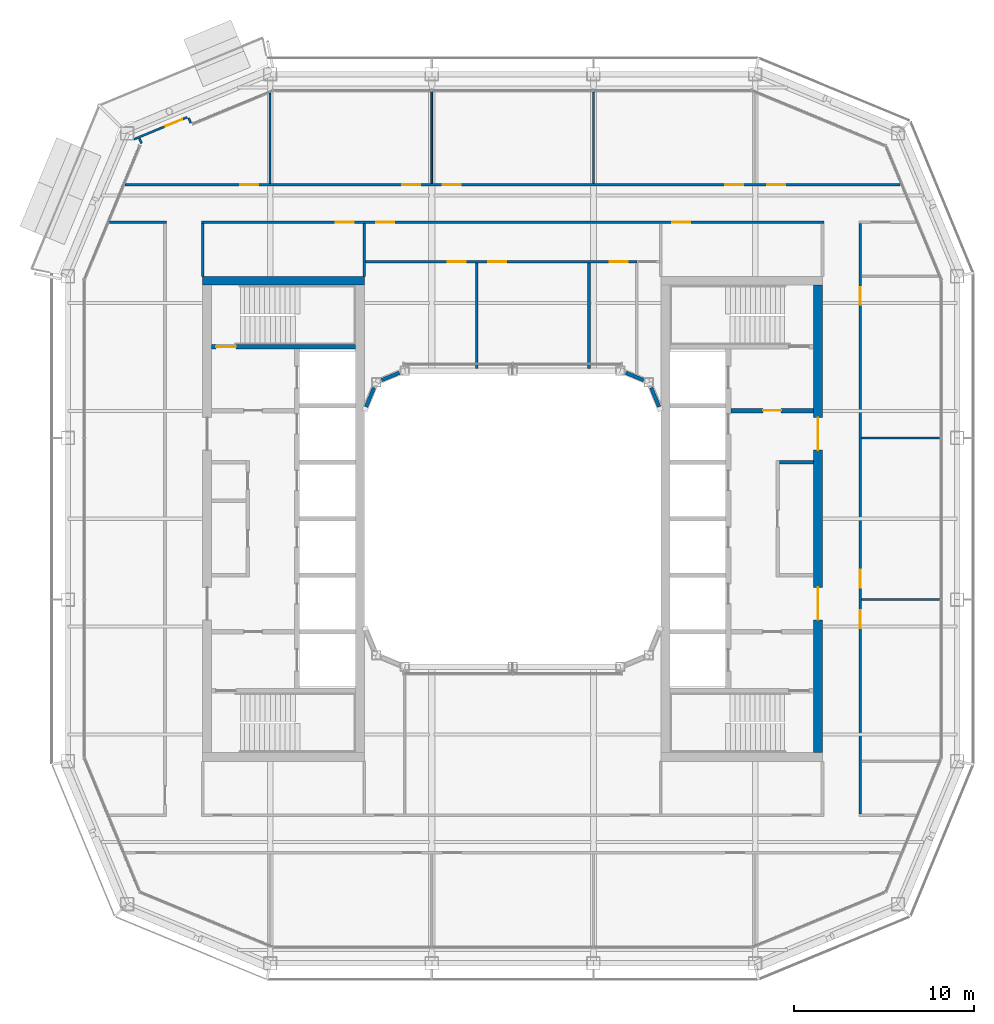
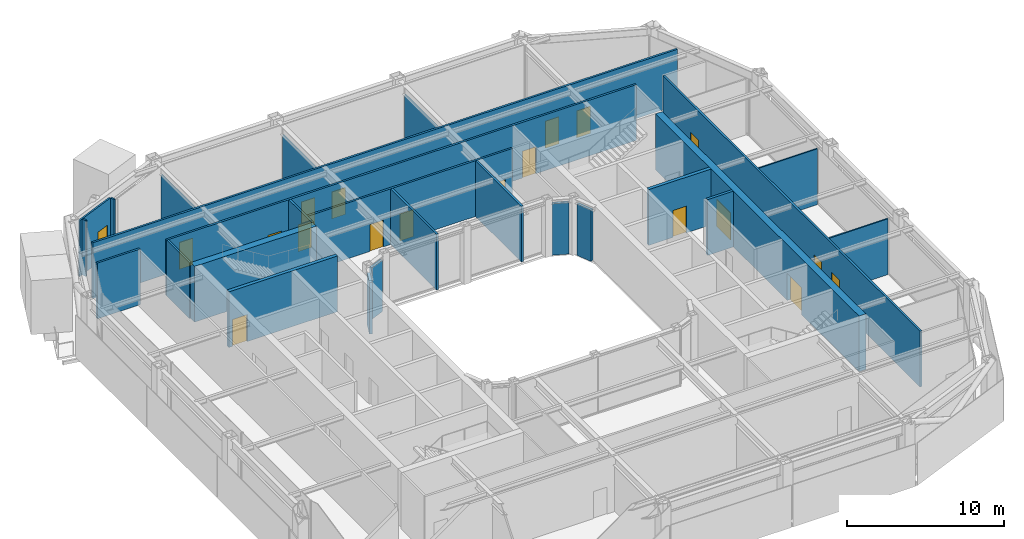
# One storey, part 13 of 21: 26 walls, 19 doors, 19 openings.
"""IFC4 building model written with IfcOpenShell, lengths in metres."""

from ifc_helpers import new_model, si_unit, direction, frame, frame_2d, origin, place, context, subcontext, project, spatial, rectangle, extrude, material, layer, layer_set, type_object, element, fill, save


model = new_model("IFC4")

# Units and contexts
model_context = context("Model", 3, precision=1e-05, world=origin(), true_north=direction((0.0, 1.0)))
body_context = subcontext(model_context, "Body", "Model", "MODEL_VIEW")
ifc_project = project(units=[si_unit("LENGTHUNIT", "METRE"), si_unit("AREAUNIT", "SQUARE_METRE"), si_unit("VOLUMEUNIT", "CUBIC_METRE"), si_unit("PLANEANGLEUNIT", "RADIAN"), si_unit("MASSUNIT", "GRAM", prefix="KILO")], contexts=[model_context])

# Site, building, storey
site_placement = place(None, origin())
site = spatial("IfcSite", under=ifc_project, at=site_placement, CompositionType="ELEMENT")
building_placement = place(site_placement, origin())
building = spatial("IfcBuilding", under=site, at=building_placement, Name="Siwar Civic Tower", CompositionType="ELEMENT")
storey_placement = place(building_placement, frame((0.0, 0.0, 294.199951171875)))
storey = spatial("IfcBuildingStorey", under=building, at=storey_placement, Name="L63", CompositionType="ELEMENT", Elevation=294.199951171875)

# Wall
ifc_material_1 = material(Name="Gypsum board on steel studs", Category="steel")
ifc_layer_1 = layer(ifc_material_1, 0.199951171875)
ifc_layer_set_1 = layer_set([ifc_layer_1], Name="Gypsum board on steel studs")
wall_type_1 = type_object("IfcWallType", Name="CORE-PARTITION-200", PredefinedType="PARTITIONING", material=ifc_layer_set_1)
wall_1_placement = place(storey_placement, frame((14.85009765625, 3.14990234375, 0.0), z_axis=(0.0, 0.0, 1.0), x_axis=(1.0, 0.0, 0.0)))
element("IfcWall", 1, at=wall_1_placement, inside=storey, type_object=wall_type_1, Name="Core partition E", PredefinedType="PARTITIONING", context=body_context, shape_type="SweptSolid", body=[
    extrude(rectangle(XDim=1.89990234375, YDim=0.199951171875, at=frame_2d((0.949951171875, 0.0))), origin(), (0.0, 0.0, 1.0), 4.35009765625),
])

# Wall, opening, door
ifc_material_2 = material(Name="Concrete C60/75", Category="concrete")
ifc_layer_2 = layer(ifc_material_2, 0.25)
ifc_layer_set_2 = layer_set([ifc_layer_2], Name="Concrete C60/75")
wall_type_2 = type_object("IfcWallType", Name="CORE-WALL-RC250", PredefinedType="SHEAR", material=ifc_layer_set_2)
wall_2_placement = place(storey_placement, frame((-8.75, 9.574951171875, 0.0), z_axis=(0.0, 0.0, 1.0), x_axis=(-1.0, 0.0, 0.0)))
wall_2 = element("IfcWall", 2, at=wall_2_placement, inside=storey, type_object=wall_type_2, Name="Core wall W", PredefinedType="SHEAR", context=body_context, shape_type="SweptSolid", body=[
    extrude(rectangle(XDim=8.0, YDim=0.25, at=frame_2d((4.0, 0.0))), origin(), (0.0, 0.0, 1.0), 4.35009765625),
])
opening_1_placement = place(wall_2_placement, frame((6.64990234375, 0.0, 0.0)))
opening_1 = element("IfcOpeningElement", 3, at=opening_1_placement, cuts=wall_2, Name="Opening L63-CW03", PredefinedType="OPENING", context=body_context, shape_type="SweptSolid", body=[
    extrude(rectangle(XDim=1.10009765625, YDim=2.10009765625, at=frame_2d((0.550048828125, 1.050048828125))), frame((0.0, 0.135009765625, 0.0), z_axis=(0.0, -1.0, 0.0), x_axis=(1.0, 0.0, 0.0)), (0.0, 0.0, 1.0), 0.27001953125),
])
ifc_material_3 = material(Name="Steel door leaf", Category="steel")
door_type_1 = type_object("IfcDoorType", Name="CORE-DOOR-FD60S", OperationType="SINGLE_SWING_LEFT", PredefinedType="DOOR", material=ifc_material_3)
door_1_placement = place(opening_1_placement, origin())
door_1 = element("IfcDoor", 4, at=door_1_placement, inside=storey, type_object=door_type_1, Name="Stair door L63-CW03", OperationType="SINGLE_SWING_RIGHT", OverallHeight=2.10009765625, OverallWidth=1.10009765625, PredefinedType="DOOR", context=body_context, shape_type="SweptSolid", body=[
    extrude(rectangle(XDim=1.10009765625, YDim=2.10009765625, at=frame_2d((0.550048828125, 1.050048828125))), frame((0.0, 0.02490234375, 0.0), z_axis=(0.0, -1.0, 0.0), x_axis=(1.0, 0.0, 0.0)), (0.0, 0.0, 1.0), 0.050048828125),
])
fill(opening_1, door_1)

wall_3_placement = place(storey_placement, frame((12.14990234375, 6.02490234375, 0.0), z_axis=(0.0, 0.0, 1.0), x_axis=(1.0, 0.0, 0.0)))
wall_3 = element("IfcWall", 5, at=wall_3_placement, inside=storey, type_object=wall_type_2, Name="Core wall E", PredefinedType="SHEAR", context=body_context, shape_type="SweptSolid", body=[
    extrude(rectangle(XDim=4.60009765625, YDim=0.25, at=frame_2d((2.300048828125, 0.0))), origin(), (0.0, 0.0, 1.0), 4.35009765625),
])
opening_2_placement = place(wall_3_placement, frame((1.800048828125, 0.0, 0.0)))
opening_2 = element("IfcOpeningElement", 6, at=opening_2_placement, cuts=wall_3, Name="Opening L63-CE01", PredefinedType="OPENING", context=body_context, shape_type="SweptSolid", body=[
    extrude(rectangle(XDim=1.0, YDim=2.10009765625, at=frame_2d((0.5, 1.050048828125))), frame((0.0, 0.135009765625, 0.0), z_axis=(0.0, -1.0, 0.0), x_axis=(1.0, 0.0, 0.0)), (0.0, 0.0, 1.0), 0.27001953125),
])
ifc_material_4 = material(Name="Steel door leaf", Category="steel")
door_type_2 = type_object("IfcDoorType", Name="CORE-DOOR-FD30S", OperationType="SINGLE_SWING_LEFT", PredefinedType="DOOR", material=ifc_material_4)
door_2_placement = place(opening_2_placement, origin())
door_2 = element("IfcDoor", 7, at=door_2_placement, inside=storey, type_object=door_type_2, Name="Firefighting lobby door L63-CE01", OperationType="SINGLE_SWING_RIGHT", OverallHeight=2.10009765625, OverallWidth=1.0, PredefinedType="DOOR", context=body_context, shape_type="SweptSolid", body=[
    extrude(rectangle(XDim=1.0, YDim=2.10009765625, at=frame_2d((0.5, 1.050048828125))), frame((0.0, 0.02490234375, 0.0), z_axis=(0.0, -1.0, 0.0), x_axis=(1.0, 0.0, 0.0)), (0.0, 0.0, 1.0), 0.050048828125),
])
fill(opening_2, door_2)

# Wall
ifc_material_5 = material(Name="Concrete C60/75", Category="concrete")
ifc_layer_3 = layer(ifc_material_5, 0.5)
ifc_layer_set_3 = layer_set([ifc_layer_3], Name="Concrete C60/75")
wall_type_3 = type_object("IfcWallType", Name="CORE-WALL-RC500", PredefinedType="SHEAR", material=ifc_layer_set_3)
wall_4_placement = place(storey_placement, frame((-8.25, 13.25, 0.0), z_axis=(0.0, 0.0, 1.0), x_axis=(-1.0, 0.0, 0.0)))
element("IfcWall", 8, at=wall_4_placement, inside=storey, type_object=wall_type_3, Name="Core wall W", PredefinedType="SHEAR", context=body_context, shape_type="SweptSolid", body=[
    extrude(rectangle(XDim=9.0, YDim=0.5, at=frame_2d((4.5, 0.0))), origin(), (0.0, 0.0, 1.0), 4.35009765625),
])

# Wall, openings, doors
wall_5_placement = place(storey_placement, frame((17.0, -13.0, 0.0), z_axis=(0.0, 0.0, 1.0), x_axis=(0.0, 1.0, 0.0)))
wall_5 = element("IfcWall", 9, at=wall_5_placement, inside=storey, type_object=wall_type_3, Name="Core wall E", PredefinedType="SHEAR", context=body_context, shape_type="SweptSolid", body=[
    extrude(rectangle(XDim=26.0, YDim=0.5, at=frame_2d((13.0, 0.0))), origin(), (0.0, 0.0, 1.0), 4.35009765625),
])
opening_3_placement = place(wall_5_placement, frame((16.824951171875, 0.0, 0.0)))
opening_3 = element("IfcOpeningElement", 10, at=opening_3_placement, cuts=wall_5, Name="Opening L63-CE05", PredefinedType="OPENING", context=body_context, shape_type="SweptSolid", body=[
    extrude(rectangle(XDim=1.800048828125, YDim=2.10009765625, at=frame_2d((0.89990234375, 1.050048828125))), frame((0.0, 0.260009765625, 0.0), z_axis=(0.0, -1.0, 0.0), x_axis=(1.0, 0.0, 0.0)), (0.0, 0.0, 1.0), 0.52001953125),
])
opening_4_placement = place(wall_5_placement, frame((7.375, 0.0, 0.0)))
opening_4 = element("IfcOpeningElement", 11, at=opening_4_placement, cuts=wall_5, Name="Opening L63-CE06", PredefinedType="OPENING", context=body_context, shape_type="SweptSolid", body=[
    extrude(rectangle(XDim=1.800048828125, YDim=2.10009765625, at=frame_2d((0.89990234375, 1.050048828125))), frame((0.0, 0.260009765625, 0.0), z_axis=(0.0, -1.0, 0.0), x_axis=(1.0, 0.0, 0.0)), (0.0, 0.0, 1.0), 0.52001953125),
])
ifc_material_6 = material(Name="Steel door leaf", Category="steel")
door_type_3 = type_object("IfcDoorType", Name="CORE-DOOR-PORT", OperationType="DOUBLE_DOOR_DOUBLE_SWING", PredefinedType="DOOR", material=ifc_material_6)
door_3_placement = place(opening_3_placement, origin())
door_3 = element("IfcDoor", 12, at=door_3_placement, inside=storey, type_object=door_type_3, Name="Core entrance door L63-CE05", OperationType="DOUBLE_DOOR_DOUBLE_SWING", OverallHeight=2.10009765625, OverallWidth=1.800048828125, PredefinedType="DOOR", context=body_context, shape_type="SweptSolid", body=[
    extrude(rectangle(XDim=1.800048828125, YDim=2.10009765625, at=frame_2d((0.89990234375, 1.050048828125))), frame((0.0, 0.02490234375, 0.0), z_axis=(0.0, -1.0, 0.0), x_axis=(1.0, 0.0, 0.0)), (0.0, 0.0, 1.0), 0.050048828125),
])
fill(opening_3, door_3)
door_4_placement = place(opening_4_placement, origin())
door_4 = element("IfcDoor", 13, at=door_4_placement, inside=storey, type_object=door_type_3, Name="Core entrance door L63-CE06", OperationType="DOUBLE_DOOR_DOUBLE_SWING", OverallHeight=2.10009765625, OverallWidth=1.800048828125, PredefinedType="DOOR", context=body_context, shape_type="SweptSolid", body=[
    extrude(rectangle(XDim=1.800048828125, YDim=2.10009765625, at=frame_2d((0.89990234375, 1.050048828125))), frame((0.0, 0.02490234375, 0.0), z_axis=(0.0, -1.0, 0.0), x_axis=(1.0, 0.0, 0.0)), (0.0, 0.0, 1.0), 0.050048828125),
])
fill(opening_4, door_4)

ifc_material_7 = material(Name="Gypsum board on steel studs", Category="steel")
ifc_layer_4 = layer(ifc_material_7, 0.14990234375)
ifc_layer_set_4 = layer_set([ifc_layer_4], Name="Gypsum board on steel studs")
wall_type_4 = type_object("IfcWallType", Name="CORRIDOR PARTITION 150 EI 30", PredefinedType="PARTITIONING", material=ifc_layer_set_4)
wall_6_placement = place(storey_placement, frame((-8.175048828125, 14.300048828125, 0.0), z_axis=(0.0, 0.0, 1.0), x_axis=(1.0, 0.0, 0.0)))
wall_6 = element("IfcWall", 14, at=wall_6_placement, inside=storey, type_object=wall_type_4, Name="L63/wall/P09", PredefinedType="PARTITIONING", context=body_context, shape_type="SweptSolid", body=[
    extrude(rectangle(XDim=15.094970703125, YDim=0.14990234375, at=frame_2d((7.54736328125, 0.0))), origin(), (0.0, 0.0, 1.0), 4.35009765625),
])
opening_5_placement = place(wall_6_placement, frame((4.574951171875, 0.0, 0.0)))
opening_5 = element("IfcOpeningElement", 15, at=opening_5_placement, cuts=wall_6, Name="Opening D3", PredefinedType="OPENING", context=body_context, shape_type="SweptSolid", body=[
    extrude(rectangle(XDim=1.0, YDim=2.10009765625, at=frame_2d((0.5, 1.050048828125))), frame((0.0, 0.0849609375, 0.0), z_axis=(0.0, -1.0, 0.0), x_axis=(1.0, 0.0, 0.0)), (0.0, 0.0, 1.0), 0.169921875),
])
opening_6_placement = place(wall_6_placement, frame((6.824951171875, 0.0, 0.0)))
opening_6 = element("IfcOpeningElement", 16, at=opening_6_placement, cuts=wall_6, Name="Opening D3", PredefinedType="OPENING", context=body_context, shape_type="SweptSolid", body=[
    extrude(rectangle(XDim=1.0, YDim=2.10009765625, at=frame_2d((0.5, 1.050048828125))), frame((0.0, 0.0849609375, 0.0), z_axis=(0.0, -1.0, 0.0), x_axis=(1.0, 0.0, 0.0)), (0.0, 0.0, 1.0), 0.169921875),
])
opening_7_placement = place(wall_6_placement, frame((13.574951171875, 0.0, 0.0)))
opening_7 = element("IfcOpeningElement", 17, at=opening_7_placement, cuts=wall_6, Name="Opening D3", PredefinedType="OPENING", context=body_context, shape_type="SweptSolid", body=[
    extrude(rectangle(XDim=1.0, YDim=2.10009765625, at=frame_2d((0.5, 1.050048828125))), frame((0.0, 0.0849609375, 0.0), z_axis=(0.0, -1.0, 0.0), x_axis=(1.0, 0.0, 0.0)), (0.0, 0.0, 1.0), 0.169921875),
])
ifc_material_8 = material(Name="Timber, painted", Category="wood")
door_type_4 = type_object("IfcDoorType", Name="DOOR 1000 X 2100 WC", OperationType="SINGLE_SWING_LEFT", PredefinedType="DOOR", material=ifc_material_8)
door_5_placement = place(opening_5_placement, origin())
door_5 = element("IfcDoor", 18, at=door_5_placement, inside=storey, type_object=door_type_4, Name="L63-D12", OperationType="SINGLE_SWING_RIGHT", OverallHeight=2.10009765625, OverallWidth=1.0, PredefinedType="DOOR", context=body_context, shape_type="SweptSolid", body=[
    extrude(rectangle(XDim=1.0, YDim=2.10009765625, at=frame_2d((0.5, 1.050048828125))), frame((0.0, 0.02490234375, 0.0), z_axis=(0.0, -1.0, 0.0), x_axis=(1.0, 0.0, 0.0)), (0.0, 0.0, 1.0), 0.050048828125),
])
fill(opening_5, door_5)
door_6_placement = place(opening_6_placement, origin())
door_6 = element("IfcDoor", 19, at=door_6_placement, inside=storey, type_object=door_type_4, Name="L63-D13", OperationType="SINGLE_SWING_LEFT", OverallHeight=2.10009765625, OverallWidth=1.0, PredefinedType="DOOR", context=body_context, shape_type="SweptSolid", body=[
    extrude(rectangle(XDim=1.0, YDim=2.10009765625, at=frame_2d((0.5, 1.050048828125))), frame((0.0, 0.02490234375, 0.0), z_axis=(0.0, -1.0, 0.0), x_axis=(1.0, 0.0, 0.0)), (0.0, 0.0, 1.0), 0.050048828125),
])
fill(opening_6, door_6)
door_7_placement = place(opening_7_placement, origin())
door_7 = element("IfcDoor", 20, at=door_7_placement, inside=storey, type_object=door_type_4, Name="L63-D14", OperationType="SINGLE_SWING_RIGHT", OverallHeight=2.10009765625, OverallWidth=1.0, PredefinedType="DOOR", context=body_context, shape_type="SweptSolid", body=[
    extrude(rectangle(XDim=1.0, YDim=2.10009765625, at=frame_2d((0.5, 1.050048828125))), frame((0.0, 0.02490234375, 0.0), z_axis=(0.0, -1.0, 0.0), x_axis=(1.0, 0.0, 0.0)), (0.0, 0.0, 1.0), 0.050048828125),
])
fill(opening_7, door_7)

# Wall
wall_7_placement = place(storey_placement, frame((-22.43603515625, 16.5, 0.0), z_axis=(0.0, 0.0, 1.0), x_axis=(1.0, 0.0, 0.0)))
element("IfcWall", 21, at=wall_7_placement, inside=storey, type_object=wall_type_4, Name="L63/wall/P11", PredefinedType="PARTITIONING", context=body_context, shape_type="SweptSolid", body=[
    extrude(rectangle(XDim=3.1611328125, YDim=0.14990234375, at=frame_2d((1.58056640625, 0.0))), origin(), (0.0, 0.0, 1.0), 4.35009765625),
])

# Wall, openings, doors
wall_8_placement = place(storey_placement, frame((-17.324951171875, 16.5, 0.0), z_axis=(0.0, 0.0, 1.0), x_axis=(1.0, 0.0, 0.0)))
wall_8 = element("IfcWall", 22, at=wall_8_placement, inside=storey, type_object=wall_type_4, Name="L63/wall/P12", PredefinedType="PARTITIONING", context=body_context, shape_type="SweptSolid", body=[
    extrude(rectangle(XDim=34.64990234375, YDim=0.14990234375, at=frame_2d((17.324951171875, 0.0))), origin(), (0.0, 0.0, 1.0), 4.35009765625),
])
opening_8_placement = place(wall_8_placement, frame((9.72509765625, 0.0, 0.0)))
opening_8 = element("IfcOpeningElement", 23, at=opening_8_placement, cuts=wall_8, Name="Opening D1", PredefinedType="OPENING", context=body_context, shape_type="SweptSolid", body=[
    extrude(rectangle(XDim=1.0, YDim=2.10009765625, at=frame_2d((0.5, 1.050048828125))), frame((0.0, 0.0849609375, 0.0), z_axis=(0.0, -1.0, 0.0), x_axis=(1.0, 0.0, 0.0)), (0.0, 0.0, 1.0), 0.169921875),
])
opening_9_placement = place(wall_8_placement, frame((7.47509765625, 0.0, 0.0)))
opening_9 = element("IfcOpeningElement", 24, at=opening_9_placement, cuts=wall_8, Name="Opening D1", PredefinedType="OPENING", context=body_context, shape_type="SweptSolid", body=[
    extrude(rectangle(XDim=1.0, YDim=2.10009765625, at=frame_2d((0.5, 1.050048828125))), frame((0.0, 0.0849609375, 0.0), z_axis=(0.0, -1.0, 0.0), x_axis=(1.0, 0.0, 0.0)), (0.0, 0.0, 1.0), 0.169921875),
])
opening_10_placement = place(wall_8_placement, frame((26.22509765625, 0.0, 0.0)))
opening_10 = element("IfcOpeningElement", 25, at=opening_10_placement, cuts=wall_8, Name="Opening D1", PredefinedType="OPENING", context=body_context, shape_type="SweptSolid", body=[
    extrude(rectangle(XDim=1.0, YDim=2.10009765625, at=frame_2d((0.5, 1.050048828125))), frame((0.0, 0.0849609375, 0.0), z_axis=(0.0, -1.0, 0.0), x_axis=(1.0, 0.0, 0.0)), (0.0, 0.0, 1.0), 0.169921875),
])
ifc_material_9 = material(Name="Timber, painted", Category="wood")
door_type_5 = type_object("IfcDoorType", Name="DOOR 1000 X 2100 FD30", OperationType="SINGLE_SWING_LEFT", PredefinedType="DOOR", material=ifc_material_9)
door_8_placement = place(opening_8_placement, origin())
door_8 = element("IfcDoor", 26, at=door_8_placement, inside=storey, type_object=door_type_5, Name="L63-D11", OperationType="SINGLE_SWING_LEFT", OverallHeight=2.10009765625, OverallWidth=1.0, PredefinedType="DOOR", context=body_context, shape_type="SweptSolid", body=[
    extrude(rectangle(XDim=1.0, YDim=2.10009765625, at=frame_2d((0.5, 1.050048828125))), frame((0.0, 0.02490234375, 0.0), z_axis=(0.0, -1.0, 0.0), x_axis=(1.0, 0.0, 0.0)), (0.0, 0.0, 1.0), 0.050048828125),
])
fill(opening_8, door_8)
door_9_placement = place(opening_9_placement, origin())
door_9 = element("IfcDoor", 27, at=door_9_placement, inside=storey, type_object=door_type_5, Name="L63-D18", OperationType="SINGLE_SWING_RIGHT", OverallHeight=2.10009765625, OverallWidth=1.0, PredefinedType="DOOR", context=body_context, shape_type="SweptSolid", body=[
    extrude(rectangle(XDim=1.0, YDim=2.10009765625, at=frame_2d((0.5, 1.050048828125))), frame((0.0, 0.02490234375, 0.0), z_axis=(0.0, -1.0, 0.0), x_axis=(1.0, 0.0, 0.0)), (0.0, 0.0, 1.0), 0.050048828125),
])
fill(opening_9, door_9)
door_10_placement = place(opening_10_placement, origin())
door_10 = element("IfcDoor", 28, at=door_10_placement, inside=storey, type_object=door_type_5, Name="L63-D19", OperationType="SINGLE_SWING_LEFT", OverallHeight=2.10009765625, OverallWidth=1.0, PredefinedType="DOOR", context=body_context, shape_type="SweptSolid", body=[
    extrude(rectangle(XDim=1.0, YDim=2.10009765625, at=frame_2d((0.5, 1.050048828125))), frame((0.0, 0.02490234375, 0.0), z_axis=(0.0, -1.0, 0.0), x_axis=(1.0, 0.0, 0.0)), (0.0, 0.0, 1.0), 0.050048828125),
])
fill(opening_10, door_10)

wall_9_placement = place(storey_placement, frame((-21.56591796875, 18.60009765625, 0.0), z_axis=(0.0, 0.0, 1.0), x_axis=(1.0, 0.0, 0.0)))
wall_9 = element("IfcWall", 29, at=wall_9_placement, inside=storey, type_object=wall_type_4, Name="L63/wall/P14", PredefinedType="PARTITIONING", context=body_context, shape_type="SweptSolid", body=[
    extrude(rectangle(XDim=43.1318359375, YDim=0.14990234375, at=frame_2d((21.56591796875, 0.0))), origin(), (0.0, 0.0, 1.0), 4.35009765625),
])
opening_11_placement = place(wall_9_placement, frame((15.416015625, 0.0, 0.0)))
opening_11 = element("IfcOpeningElement", 30, at=opening_11_placement, cuts=wall_9, Name="Opening D1", PredefinedType="OPENING", context=body_context, shape_type="SweptSolid", body=[
    extrude(rectangle(XDim=1.0, YDim=2.10009765625, at=frame_2d((0.5, 1.050048828125))), frame((0.0, 0.0849609375, 0.0), z_axis=(0.0, -1.0, 0.0), x_axis=(1.0, 0.0, 0.0)), (0.0, 0.0, 1.0), 0.169921875),
])
opening_12_placement = place(wall_9_placement, frame((17.666015625, 0.0, 0.0)))
opening_12 = element("IfcOpeningElement", 31, at=opening_12_placement, cuts=wall_9, Name="Opening D1", PredefinedType="OPENING", context=body_context, shape_type="SweptSolid", body=[
    extrude(rectangle(XDim=1.0, YDim=2.10009765625, at=frame_2d((0.5, 1.050048828125))), frame((0.0, 0.0849609375, 0.0), z_axis=(0.0, -1.0, 0.0), x_axis=(1.0, 0.0, 0.0)), (0.0, 0.0, 1.0), 0.169921875),
])
opening_13_placement = place(wall_9_placement, frame((33.416015625, 0.0, 0.0)))
opening_13 = element("IfcOpeningElement", 32, at=opening_13_placement, cuts=wall_9, Name="Opening D1", PredefinedType="OPENING", context=body_context, shape_type="SweptSolid", body=[
    extrude(rectangle(XDim=1.0, YDim=2.10009765625, at=frame_2d((0.5, 1.050048828125))), frame((0.0, 0.0849609375, 0.0), z_axis=(0.0, -1.0, 0.0), x_axis=(1.0, 0.0, 0.0)), (0.0, 0.0, 1.0), 0.169921875),
])
opening_14_placement = place(wall_9_placement, frame((6.416015625, 0.0, 0.0)))
opening_14 = element("IfcOpeningElement", 33, at=opening_14_placement, cuts=wall_9, Name="Opening D1", PredefinedType="OPENING", context=body_context, shape_type="SweptSolid", body=[
    extrude(rectangle(XDim=1.0, YDim=2.10009765625, at=frame_2d((0.5, 1.050048828125))), frame((0.0, 0.0849609375, 0.0), z_axis=(0.0, -1.0, 0.0), x_axis=(1.0, 0.0, 0.0)), (0.0, 0.0, 1.0), 0.169921875),
])
opening_15_placement = place(wall_9_placement, frame((35.73193359375, 0.0, 0.0)))
opening_15 = element("IfcOpeningElement", 34, at=opening_15_placement, cuts=wall_9, Name="Opening D1", PredefinedType="OPENING", context=body_context, shape_type="SweptSolid", body=[
    extrude(rectangle(XDim=1.0, YDim=2.10009765625, at=frame_2d((0.5, 1.050048828125))), frame((0.0, 0.0849609375, 0.0), z_axis=(0.0, -1.0, 0.0), x_axis=(1.0, 0.0, 0.0)), (0.0, 0.0, 1.0), 0.169921875),
])
door_11_placement = place(opening_11_placement, origin())
door_11 = element("IfcDoor", 35, at=door_11_placement, inside=storey, type_object=door_type_5, Name="L63-D01", OperationType="SINGLE_SWING_LEFT", OverallHeight=2.10009765625, OverallWidth=1.0, PredefinedType="DOOR", context=body_context, shape_type="SweptSolid", body=[
    extrude(rectangle(XDim=1.0, YDim=2.10009765625, at=frame_2d((0.5, 1.050048828125))), frame((0.0, 0.02490234375, 0.0), z_axis=(0.0, -1.0, 0.0), x_axis=(1.0, 0.0, 0.0)), (0.0, 0.0, 1.0), 0.050048828125),
])
fill(opening_11, door_11)
door_12_placement = place(opening_12_placement, origin())
door_12 = element("IfcDoor", 36, at=door_12_placement, inside=storey, type_object=door_type_5, Name="L63-D02", OperationType="SINGLE_SWING_RIGHT", OverallHeight=2.10009765625, OverallWidth=1.0, PredefinedType="DOOR", context=body_context, shape_type="SweptSolid", body=[
    extrude(rectangle(XDim=1.0, YDim=2.10009765625, at=frame_2d((0.5, 1.050048828125))), frame((0.0, 0.02490234375, 0.0), z_axis=(0.0, -1.0, 0.0), x_axis=(1.0, 0.0, 0.0)), (0.0, 0.0, 1.0), 0.050048828125),
])
fill(opening_12, door_12)
door_13_placement = place(opening_13_placement, origin())
door_13 = element("IfcDoor", 37, at=door_13_placement, inside=storey, type_object=door_type_5, Name="L63-D03", OperationType="SINGLE_SWING_LEFT", OverallHeight=2.10009765625, OverallWidth=1.0, PredefinedType="DOOR", context=body_context, shape_type="SweptSolid", body=[
    extrude(rectangle(XDim=1.0, YDim=2.10009765625, at=frame_2d((0.5, 1.050048828125))), frame((0.0, 0.02490234375, 0.0), z_axis=(0.0, -1.0, 0.0), x_axis=(1.0, 0.0, 0.0)), (0.0, 0.0, 1.0), 0.050048828125),
])
fill(opening_13, door_13)
door_14_placement = place(opening_14_placement, origin())
door_14 = element("IfcDoor", 38, at=door_14_placement, inside=storey, type_object=door_type_5, Name="L63-D07", OperationType="SINGLE_SWING_LEFT", OverallHeight=2.10009765625, OverallWidth=1.0, PredefinedType="DOOR", context=body_context, shape_type="SweptSolid", body=[
    extrude(rectangle(XDim=1.0, YDim=2.10009765625, at=frame_2d((0.5, 1.050048828125))), frame((0.0, 0.02490234375, 0.0), z_axis=(0.0, -1.0, 0.0), x_axis=(1.0, 0.0, 0.0)), (0.0, 0.0, 1.0), 0.050048828125),
])
fill(opening_14, door_14)
door_15_placement = place(opening_15_placement, origin())
door_15 = element("IfcDoor", 39, at=door_15_placement, inside=storey, type_object=door_type_5, Name="L63-D08", OperationType="SINGLE_SWING_RIGHT", OverallHeight=2.10009765625, OverallWidth=1.0, PredefinedType="DOOR", context=body_context, shape_type="SweptSolid", body=[
    extrude(rectangle(XDim=1.0, YDim=2.10009765625, at=frame_2d((0.5, 1.050048828125))), frame((0.0, 0.02490234375, 0.0), z_axis=(0.0, -1.0, 0.0), x_axis=(1.0, 0.0, 0.0)), (0.0, 0.0, 1.0), 0.050048828125),
])
fill(opening_15, door_15)

# Walls
for number, where, z_axis, x_axis, name in (
    (40, (-17.25, 13.5, 0.0), (0.0, 0.0, 1.0), (0.0, 1.0, 0.0), "L63/wall/P17"),
    (41, (-8.25, 13.5, 0.0), (0.0, 0.0, 1.0), (0.0, 1.0, 0.0), "L63/wall/P21"),
):
    element("IfcWall", number, at=place(storey_placement, frame(where, z_axis=z_axis, x_axis=x_axis)), inside=storey, type_object=wall_type_4, Name=name, PredefinedType="PARTITIONING", context=body_context, shape_type="SweptSolid", body=[
        extrude(rectangle(XDim=2.925048828125, YDim=0.14990234375, at=frame_2d((1.46240234375, 0.0))), origin(), (0.0, 0.0, 1.0), 4.35009765625),
    ])
for number, where, z_axis, x_axis, name in (
    (42, (-2.0, 8.3701171875, 0.0), (0.0, 0.0, 1.0), (0.0, 1.0, 0.0), "L63/wall/P25"),
    (43, (4.25, 8.3701171875, 0.0), (0.0, 0.0, 1.0), (0.0, 1.0, 0.0), "L63/wall/P26"),
):
    element("IfcWall", number, at=place(storey_placement, frame(where, z_axis=z_axis, x_axis=x_axis)), inside=storey, type_object=wall_type_4, Name=name, PredefinedType="PARTITIONING", context=body_context, shape_type="SweptSolid", body=[
        extrude(rectangle(XDim=5.85498046875, YDim=0.14990234375, at=frame_2d((2.927490234375, 0.0))), origin(), (0.0, 0.0, 1.0), 4.35009765625),
    ])

# Wall, openings, doors
wall_10_placement = place(storey_placement, frame((19.35009765625, -16.425048828125, 0.0), z_axis=(0.0, 0.0, 1.0), x_axis=(0.0, 1.0, 0.0)))
wall_10 = element("IfcWall", 44, at=wall_10_placement, inside=storey, type_object=wall_type_4, Name="L63/wall/P37", PredefinedType="PARTITIONING", context=body_context, shape_type="SweptSolid", body=[
    extrude(rectangle(XDim=32.85009765625, YDim=0.14990234375, at=frame_2d((16.425048828125, 0.0))), origin(), (0.0, 0.0, 1.0), 4.35009765625),
])
opening_16_placement = place(wall_10_placement, frame((10.324951171875, 0.0, 0.0)))
opening_16 = element("IfcOpeningElement", 45, at=opening_16_placement, cuts=wall_10, Name="Opening D1", PredefinedType="OPENING", context=body_context, shape_type="SweptSolid", body=[
    extrude(rectangle(XDim=1.0, YDim=2.10009765625, at=frame_2d((0.5, 1.050048828125))), frame((0.0, 0.0849609375, 0.0), z_axis=(0.0, -1.0, 0.0), x_axis=(1.0, 0.0, 0.0)), (0.0, 0.0, 1.0), 0.169921875),
])
opening_17_placement = place(wall_10_placement, frame((12.574951171875, 0.0, 0.0)))
opening_17 = element("IfcOpeningElement", 46, at=opening_17_placement, cuts=wall_10, Name="Opening D1", PredefinedType="OPENING", context=body_context, shape_type="SweptSolid", body=[
    extrude(rectangle(XDim=1.0, YDim=2.10009765625, at=frame_2d((0.5, 1.050048828125))), frame((0.0, 0.0849609375, 0.0), z_axis=(0.0, -1.0, 0.0), x_axis=(1.0, 0.0, 0.0)), (0.0, 0.0, 1.0), 0.169921875),
])
opening_18_placement = place(wall_10_placement, frame((28.324951171875, 0.0, 0.0)))
opening_18 = element("IfcOpeningElement", 47, at=opening_18_placement, cuts=wall_10, Name="Opening D1", PredefinedType="OPENING", context=body_context, shape_type="SweptSolid", body=[
    extrude(rectangle(XDim=1.0, YDim=2.10009765625, at=frame_2d((0.5, 1.050048828125))), frame((0.0, 0.0849609375, 0.0), z_axis=(0.0, -1.0, 0.0), x_axis=(1.0, 0.0, 0.0)), (0.0, 0.0, 1.0), 0.169921875),
])
door_16_placement = place(opening_16_placement, origin())
door_16 = element("IfcDoor", 48, at=door_16_placement, inside=storey, type_object=door_type_5, Name="L63-D24", OperationType="SINGLE_SWING_RIGHT", OverallHeight=2.10009765625, OverallWidth=1.0, PredefinedType="DOOR", context=body_context, shape_type="SweptSolid", body=[
    extrude(rectangle(XDim=1.0, YDim=2.10009765625, at=frame_2d((0.5, 1.050048828125))), frame((0.0, 0.02490234375, 0.0), z_axis=(0.0, -1.0, 0.0), x_axis=(1.0, 0.0, 0.0)), (0.0, 0.0, 1.0), 0.050048828125),
])
fill(opening_16, door_16)
door_17_placement = place(opening_17_placement, origin())
door_17 = element("IfcDoor", 49, at=door_17_placement, inside=storey, type_object=door_type_5, Name="L63-D25", OperationType="SINGLE_SWING_LEFT", OverallHeight=2.10009765625, OverallWidth=1.0, PredefinedType="DOOR", context=body_context, shape_type="SweptSolid", body=[
    extrude(rectangle(XDim=1.0, YDim=2.10009765625, at=frame_2d((0.5, 1.050048828125))), frame((0.0, 0.02490234375, 0.0), z_axis=(0.0, -1.0, 0.0), x_axis=(1.0, 0.0, 0.0)), (0.0, 0.0, 1.0), 0.050048828125),
])
fill(opening_17, door_17)
door_18_placement = place(opening_18_placement, origin())
door_18 = element("IfcDoor", 50, at=door_18_placement, inside=storey, type_object=door_type_5, Name="L63-D26", OperationType="SINGLE_SWING_RIGHT", OverallHeight=2.10009765625, OverallWidth=1.0, PredefinedType="DOOR", context=body_context, shape_type="SweptSolid", body=[
    extrude(rectangle(XDim=1.0, YDim=2.10009765625, at=frame_2d((0.5, 1.050048828125))), frame((0.0, 0.02490234375, 0.0), z_axis=(0.0, -1.0, 0.0), x_axis=(1.0, 0.0, 0.0)), (0.0, 0.0, 1.0), 0.050048828125),
])
fill(opening_18, door_18)

# Walls
ifc_material_10 = material(Name="Aluminium clad insulated panel", Category="aluminium")
ifc_layer_5 = layer(ifc_material_10, 0.1201171875)
ifc_layer_set_5 = layer_set([ifc_layer_5], Name="Aluminium clad insulated panel")
wall_type_5 = type_object("IfcWallType", Name="ENV-WALL-BAL", PredefinedType="STANDARD", material=ifc_layer_set_5)
wall_11_placement = place(storey_placement, frame((-17.91748046875, 22.03271484375, 0.0), z_axis=(0.0, 0.0, 1.0), x_axis=(-0.382769136873, 0.923844027884, 0.0)))
element("IfcWall", 51, at=wall_11_placement, inside=storey, type_object=wall_type_5, Name="Balcony door wall return NW1", PredefinedType="STANDARD", context=body_context, shape_type="SweptSolid", body=[
    extrude(rectangle(XDim=0.31005859375, YDim=0.1201171875, at=frame_2d((0.155029296875, 0.0))), origin(), (0.0, 0.0, 1.0), 4.35009765625),
])
wall_12_placement = place(storey_placement, frame((-20.66015625, 20.896484375, 0.0), z_axis=(0.0, 0.0, 1.0), x_axis=(-0.382490814953, 0.923959293734, 0.0)))
element("IfcWall", 52, at=wall_12_placement, inside=storey, type_object=wall_type_5, Name="Balcony door wall return NW1", PredefinedType="STANDARD", context=body_context, shape_type="SweptSolid", body=[
    extrude(rectangle(XDim=0.310302734375, YDim=0.1201171875, at=frame_2d((0.1552734375, 0.0))), origin(), (0.0, 0.0, 1.0), 4.35009765625),
])

# Wall, opening, door
wall_13_placement = place(storey_placement, frame((-18.114501953125, 22.3515625, 0.0), z_axis=(0.0, 0.0, 1.0), x_axis=(-0.923880552517, -0.382680969843, 0.0)))
wall_13 = element("IfcWall", 53, at=wall_13_placement, inside=storey, type_object=wall_type_5, Name="Balcony door wall NW1", PredefinedType="STANDARD", context=body_context, shape_type="SweptSolid", body=[
    extrude(rectangle(XDim=3.209716796875, YDim=0.1201171875, at=frame_2d((1.60498046875, 0.0))), origin(), (0.0, 0.0, 1.0), 4.35009765625),
])
opening_19_placement = place(wall_13_placement, frame((0.300048828125, 0.0, 0.0)))
opening_19 = element("IfcOpeningElement", 54, at=opening_19_placement, cuts=wall_13, Name="Opening D-BAL", PredefinedType="OPENING", context=body_context, shape_type="SweptSolid", body=[
    extrude(rectangle(XDim=1.0, YDim=2.39990234375, at=frame_2d((0.5, 1.199951171875))), frame((0.0, 0.070068359375, 0.0), z_axis=(0.0, -1.0, 0.0), x_axis=(1.0, 0.0, 0.0)), (0.0, 0.0, 1.0), 0.14013671875),
])
ifc_material_11 = material(Name="Aluminium and glass", Category="aluminium")
door_type_6 = type_object("IfcDoorType", Name="ENV-DOOR-BAL", OperationType="SINGLE_SWING_LEFT", PredefinedType="DOOR", material=ifc_material_11)
door_19_placement = place(opening_19_placement, origin())
door_19 = element("IfcDoor", 55, at=door_19_placement, inside=storey, type_object=door_type_6, Name="Balcony door NW", OperationType="SINGLE_SWING_LEFT", OverallHeight=2.39990234375, OverallWidth=1.0, PredefinedType="DOOR", context=body_context, shape_type="SweptSolid", body=[
    extrude(rectangle(XDim=1.0, YDim=2.39990234375, at=frame_2d((0.5, 1.199951171875))), frame((0.0, 0.02490234375, 0.0), z_axis=(0.0, -1.0, 0.0), x_axis=(1.0, 0.0, 0.0)), (0.0, 0.0, 1.0), 0.050048828125),
])
fill(opening_19, door_19)

# Walls
ifc_material_12 = material(Name="Aluminium clad insulated panel", Category="aluminium")
ifc_layer_6 = layer(ifc_material_12, 0.199951171875)
ifc_layer_set_6 = layer_set([ifc_layer_6], Name="Aluminium clad insulated panel")
wall_type_6 = type_object("IfcWallType", Name="ENV-WALL-WELL", PredefinedType="STANDARD", material=ifc_layer_set_6)
wall_14_placement = place(storey_placement, frame((8.154296875, 6.23095703125, 0.0), z_axis=(0.0, 0.0, 1.0), x_axis=(-0.382571404949, 0.923925927829, 0.0)))
element("IfcWall", 56, at=wall_14_placement, inside=storey, type_object=wall_type_6, Name="Light well corner wall NE1", PredefinedType="STANDARD", context=body_context, shape_type="SweptSolid", body=[
    extrude(rectangle(XDim=1.1455078125, YDim=0.199951171875, at=frame_2d((0.57275390625, 0.0))), origin(), (0.0, 0.0, 1.0), 4.010009765625),
])
for number, where, z_axis, x_axis, name in (
    (57, (7.289306640625, 7.716064453125, 0.0), (0.0, 0.0, 1.0), (-0.923919409248, 0.382587147216, 0.0), "Light well corner wall NE2"),
    (58, (-6.3017578125, 8.125, 0.0), (0.0, 0.0, 1.0), (-0.923919409248, -0.382587147216, 0.0), "Light well corner wall NW1"),
):
    element("IfcWall", number, at=place(storey_placement, frame(where, z_axis=z_axis, x_axis=x_axis)), inside=storey, type_object=wall_type_6, Name=name, PredefinedType="STANDARD", context=body_context, shape_type="SweptSolid", body=[
        extrude(rectangle(XDim=1.06884765625, YDim=0.199951171875, at=frame_2d((0.534423828125, 0.0))), origin(), (0.0, 0.0, 1.0), 4.010009765625),
    ])
wall_15_placement = place(storey_placement, frame((-7.716064453125, 7.289306640625, 0.0), z_axis=(0.0, 0.0, 1.0), x_axis=(-0.382571404949, -0.923925927829, 0.0)))
element("IfcWall", 59, at=wall_15_placement, inside=storey, type_object=wall_type_6, Name="Light well corner wall NW2", PredefinedType="STANDARD", context=body_context, shape_type="SweptSolid", body=[
    extrude(rectangle(XDim=1.1455078125, YDim=0.199951171875, at=frame_2d((0.57275390625, 0.0))), origin(), (0.0, 0.0, 1.0), 4.010009765625),
])
ifc_material_13 = material(Name="Gypsum board on steel studs", Category="steel")
ifc_layer_7 = layer(ifc_material_13, 0.10009765625)
ifc_layer_set_7 = layer_set([ifc_layer_7], Name="Gypsum board on steel studs")
wall_type_7 = type_object("IfcWallType", Name="PARTITION 100 GYPSUM", PredefinedType="PARTITIONING", material=ifc_layer_set_7)
for number, where, z_axis, x_axis, name in (
    (60, (19.425048828125, -4.5, 0.0), (0.0, 0.0, 1.0), (1.0, 0.0, 0.0), "L63/wall/P06"),
    (61, (19.425048828125, 4.5, 0.0), (0.0, 0.0, 1.0), (1.0, 0.0, 0.0), "L63/wall/P07"),
):
    element("IfcWall", number, at=place(storey_placement, frame(where, z_axis=z_axis, x_axis=x_axis)), inside=storey, type_object=wall_type_7, Name=name, PredefinedType="PARTITIONING", context=body_context, shape_type="SweptSolid", body=[
        extrude(rectangle(XDim=4.3349609375, YDim=0.10009765625, at=frame_2d((2.16748046875, 0.0))), origin(), (0.0, 0.0, 1.0), 4.35009765625),
    ])
wall_16_placement = place(storey_placement, frame((-13.5, 18.675048828125, 0.0), z_axis=(0.0, 0.0, 1.0), x_axis=(0.0, 1.0, 0.0)))
element("IfcWall", 62, at=wall_16_placement, inside=storey, type_object=wall_type_7, Name="L63/wall/P19", PredefinedType="PARTITIONING", context=body_context, shape_type="SweptSolid", body=[
    extrude(rectangle(XDim=5.0029296875, YDim=0.10009765625, at=frame_2d((2.50146484375, 0.0))), origin(), (0.0, 0.0, 1.0), 3.75),
])
for number, where, z_axis, x_axis, name in (
    (63, (-4.5, 18.675048828125, 0.0), (0.0, 0.0, 1.0), (0.0, 1.0, 0.0), "L63/wall/P24"),
    (64, (4.5, 18.675048828125, 0.0), (0.0, 0.0, 1.0), (0.0, 1.0, 0.0), "L63/wall/P28"),
):
    element("IfcWall", number, at=place(storey_placement, frame(where, z_axis=z_axis, x_axis=x_axis)), inside=storey, type_object=wall_type_7, Name=name, PredefinedType="PARTITIONING", context=body_context, shape_type="SweptSolid", body=[
        extrude(rectangle(XDim=5.0849609375, YDim=0.10009765625, at=frame_2d((2.54248046875, 0.0))), origin(), (0.0, 0.0, 1.0), 3.650146484375),
    ])

save(model, "model.ifc")
